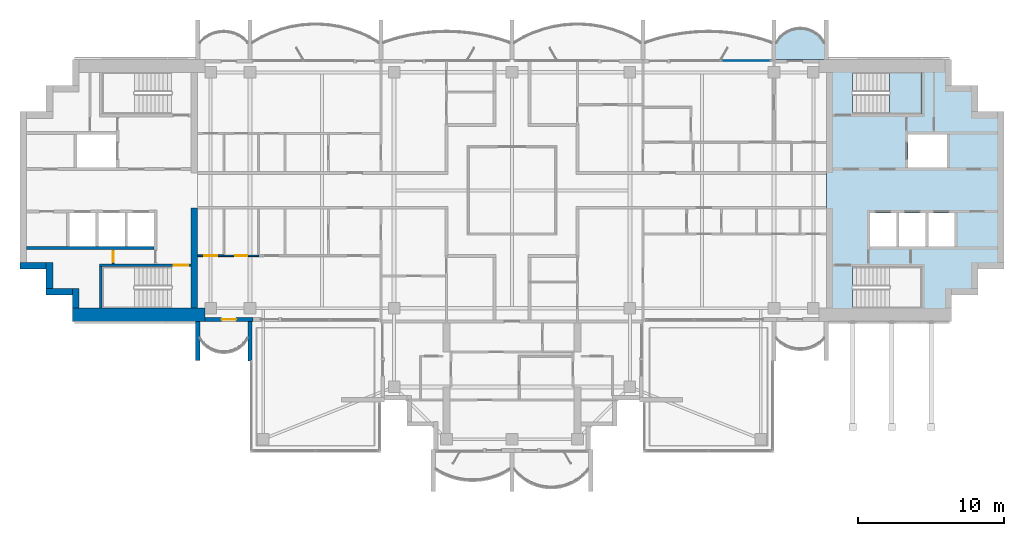
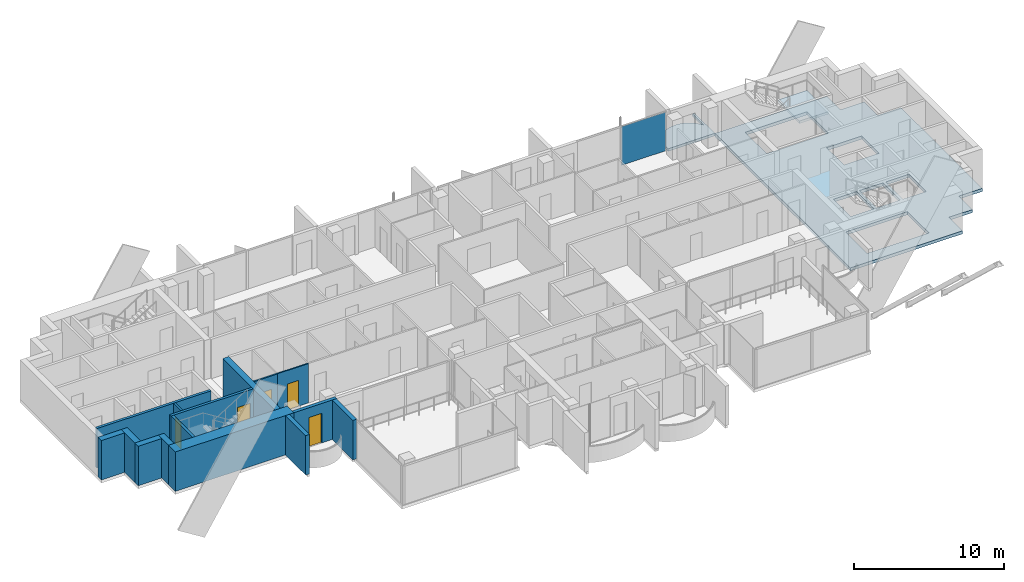
# One storey, part 7 of 18: 15 walls, 5 doors, 3 slabs, 1 plate, 5 openings, 2 elements without a shape of their own.
"""IFC4 building model written with IfcOpenShell, lengths in metres."""

import ifcopenshell
import ifcopenshell.guid

model = None  # the IFC model being written
_history = None  # IfcOwnerHistory: only IFC2X3 demands one
_inside = {}  # id of a spatial element -> (the spatial element, [elements in it])
_under = {}  # id of a project, library or spatial element -> (it, [spatial elements below it])
_declared = {}  # id of a project -> (the project, [libraries it declares])
_typed = {}  # id of a type object -> (the type object, [elements of that type])
_made_of = {}  # id of a material, layer set ... -> (it, [elements and type objects made of it])


def new_model(schema):
    """Start an empty IFC model of exactly this schema.

    Asked for "IFC4X3", IfcOpenShell would pick the latest addendum, in which some entities
    have other attributes; the version numbers below select the first issue.
    IFC2X3 requires an IfcOwnerHistory on every rooted entity: one is made here for all.
    """
    global model, _history
    if schema == "IFC4X3":
        model = ifcopenshell.file(schema_version=(4, 3, 0, 0))
    else:
        model = ifcopenshell.file(schema=schema)
    _inside.clear()
    _under.clear()
    _declared.clear()
    _typed.clear()
    _made_of.clear()
    _history = None
    if model.schema == "IFC2X3":
        org = make("IfcOrganization", Name="unknown")
        user = make(
            "IfcPersonAndOrganization",
            ThePerson=make("IfcPerson", FamilyName="unknown"),
            TheOrganization=org,
        )
        app = make(
            "IfcApplication",
            ApplicationDeveloper=org,
            Version="unknown",
            ApplicationFullName="unknown",
            ApplicationIdentifier="unknown",
        )
        _history = make(
            "IfcOwnerHistory",
            OwningUser=user,
            OwningApplication=app,
            ChangeAction="ADDED",
            CreationDate=0,
        )
    return model


def make(cls, **values):
    """One entity of the class cls with the attributes given. An attribute that is None is left unset."""
    return model.create_entity(
        cls, **{name: value for name, value in values.items() if value is not None}
    )


def rooted(cls, **values):
    """An entity with a GlobalId (a new one), such as an element, a storey or a relation."""
    return make(cls, GlobalId=ifcopenshell.guid.new(), OwnerHistory=_history, **values)


def si_unit(unit_type, name, prefix=None):
    """IfcSIUnit, for example si_unit("LENGTHUNIT", "METRE", prefix="MILLI")."""
    return make("IfcSIUnit", UnitType=unit_type, Prefix=prefix, Name=name)


def assignment(units):
    """IfcUnitAssignment: the units of a project."""
    return None if units is None else make("IfcUnitAssignment", Units=units)


def point(xyz):
    """IfcCartesianPoint."""
    return None if xyz is None else make("IfcCartesianPoint", Coordinates=xyz)


def direction(xyz):
    """IfcDirection."""
    return None if xyz is None else make("IfcDirection", DirectionRatios=xyz)


def frame(location, z_axis=None, x_axis=None):
    """IfcAxis2Placement3D, a coordinate frame: its origin and axes. An axis left out is left unset."""
    return make(
        "IfcAxis2Placement3D",
        Location=point(location),
        Axis=direction(z_axis),
        RefDirection=direction(x_axis),
    )


def frame_2d(location, x_axis=None):
    """IfcAxis2Placement2D, a coordinate frame in the plane: its origin and x axis."""
    return make(
        "IfcAxis2Placement2D", Location=point(location), RefDirection=direction(x_axis)
    )


def origin():
    """The frame at (0, 0, 0) with its axes left unset."""
    return frame((0.0, 0.0, 0.0))


def origin_2d():
    """The frame at (0, 0) in the plane with its x axis left unset."""
    return frame_2d((0.0, 0.0))


def place(relative_to, where):
    """IfcLocalPlacement: puts the frame where relative to a parent placement (None: the world)."""
    return make(
        "IfcLocalPlacement", PlacementRelTo=relative_to, RelativePlacement=where
    )


def context(
    kind, dimensions, precision=None, world=None, true_north=None, identifier=None
):
    """IfcGeometricRepresentationContext, for example the 3D "Model" context."""
    return make(
        "IfcGeometricRepresentationContext",
        ContextIdentifier=identifier,
        ContextType=kind,
        CoordinateSpaceDimension=dimensions,
        Precision=precision,
        WorldCoordinateSystem=world,
        TrueNorth=true_north,
    )


def subcontext(parent, identifier, kind, view, scale=None):
    """IfcGeometricRepresentationSubContext, for example "Body" below "Model"."""
    return make(
        "IfcGeometricRepresentationSubContext",
        ContextIdentifier=identifier,
        ContextType=kind,
        ParentContext=parent,
        TargetScale=scale,
        TargetView=view,
    )


def project(units=None, contexts=None):
    """IfcProject with its units and contexts."""
    return rooted(
        "IfcProject",
        Name="project",
        RepresentationContexts=contexts,
        UnitsInContext=assignment(units),
    )


def spatial(cls, under=None, at=None, **own):
    """A site, building, storey or space (cls), placed at a placement, below another one or the project."""
    s = rooted(cls, ObjectPlacement=at, **own)
    if under is not None:
        _under.setdefault(under.id(), (under, []))[1].append(s)
    return s


def polyline(points):
    """IfcPolyline through the points."""
    return make("IfcPolyline", Points=[point(p) for p in points])


def profile(cls, at=None, kind="AREA", **sizes):
    """A parametric profile (cls). Its sizes go by their IFC names, for example OverallWidth=200.0."""
    return make(cls, ProfileType=kind, Position=at, **sizes)


def rectangle(**sizes):
    """IfcRectangleProfileDef."""
    return profile("IfcRectangleProfileDef", **sizes)


def outline(outer, holes=None, kind="AREA"):
    """IfcArbitraryClosedProfileDef: a profile drawn as a closed curve; with holes, ...WithVoids."""
    if holes is None:
        return make("IfcArbitraryClosedProfileDef", ProfileType=kind, OuterCurve=outer)
    return make(
        "IfcArbitraryProfileDefWithVoids",
        ProfileType=kind,
        OuterCurve=outer,
        InnerCurves=holes,
    )


def extrude(swept, where, along, depth):
    """IfcExtrudedAreaSolid: the profile swept, set in the frame where, extruded along a direction by depth."""
    return make(
        "IfcExtrudedAreaSolid",
        SweptArea=swept,
        Position=where,
        ExtrudedDirection=direction(along),
        Depth=depth,
    )


def shape(context_of_items, identifier, shape_type, items):
    """IfcShapeRepresentation: the items that make up one representation, for example the "Body"."""
    return make(
        "IfcShapeRepresentation",
        ContextOfItems=context_of_items,
        RepresentationIdentifier=identifier,
        RepresentationType=shape_type,
        Items=items,
    )


def material(Name=None, Category=None):
    """IfcMaterial."""
    return make("IfcMaterial", Name=Name, Category=Category)


def layer(
    of_material, thickness, ventilated=None, Name=None, Category=None, Priority=None
):
    """IfcMaterialLayer: one layer of a wall or slab, of a material (None: an air gap)."""
    return make(
        "IfcMaterialLayer",
        Material=of_material,
        LayerThickness=thickness,
        IsVentilated=ventilated,
        Name=Name,
        Category=Category,
        Priority=Priority,
    )


def layer_set(layers, Name=None):
    """IfcMaterialLayerSet."""
    return make("IfcMaterialLayerSet", MaterialLayers=layers, LayerSetName=Name)


def made_of(thing, what):
    """Note that an element or type object is made of a material, layer set ...; save() writes the relation."""
    if what is not None:
        _made_of.setdefault(what.id(), (what, []))[1].append(thing)
    return thing


def type_object(cls, material=None, **own):
    """A type object (cls), such as IfcWallType, which elements share."""
    return made_of(rooted(cls, **own), material)


def element(
    cls,
    number,
    at=None,
    inside=None,
    cuts=None,
    type_object=None,
    material=None,
    context=None,
    identifier="Body",
    shape_type=None,
    held_by="IfcProductDefinitionShape",
    body=None,
    shapes=None,
    **own,
):
    """One element of the class cls, such as IfcWall. Its Tag is "e" and its number.

    at: its placement. inside: the storey or other place that contains it. cuts: it is an
    opening in that element (IfcRelVoidsElement). A single representation is given by context,
    identifier, shape_type and body (its items); several are given by shapes. held_by: the class
    of the entity that holds the representations. save() writes the other relations.
    """
    e = rooted(cls, Tag="e%d" % number, ObjectPlacement=at, **own)
    if body is not None:
        shapes = [shape(context, identifier, shape_type, body)]
    if shapes is not None:
        e.Representation = make(held_by, Representations=shapes)
    if inside is not None:
        _inside.setdefault(inside.id(), (inside, []))[1].append(e)
    if cuts is not None:
        rooted(
            "IfcRelVoidsElement", RelatingBuildingElement=cuts, RelatedOpeningElement=e
        )
    if type_object is not None:
        _typed.setdefault(type_object.id(), (type_object, []))[1].append(e)
    return made_of(e, material)


def fill(opening, filler):
    """IfcRelFillsElement: the door or window that sits in an opening."""
    return rooted(
        "IfcRelFillsElement",
        RelatingOpeningElement=opening,
        RelatedBuildingElement=filler,
    )


def aggregate(whole, parts):
    """IfcRelAggregates: a whole, such as a stair, and the parts it consists of."""
    return rooted("IfcRelAggregates", RelatingObject=whole, RelatedObjects=parts)


def save(model, path):
    """Write the relations noted so far, then the file.

    IfcRelAggregates (storeys below a building ...), IfcRelContainedInSpatialStructure (elements
    in a storey), IfcRelDefinesByType, IfcRelAssociatesMaterial and IfcRelDeclares: one each for
    every whole, place, type object, material and project.
    """
    for whole, parts in _under.values():
        aggregate(whole, parts)
    for where, things in _inside.values():
        rooted(
            "IfcRelContainedInSpatialStructure",
            RelatedElements=things,
            RelatingStructure=where,
        )
    for kind, things in _typed.values():
        rooted("IfcRelDefinesByType", RelatedObjects=things, RelatingType=kind)
    for what, things in _made_of.values():
        rooted("IfcRelAssociatesMaterial", RelatedObjects=things, RelatingMaterial=what)
    for by, libraries in _declared.values():
        rooted("IfcRelDeclares", RelatingContext=by, RelatedDefinitions=libraries)
    model.write(path)


model = new_model("IFC4")

# Units and contexts
model_context = context("Model", 3, precision=1e-05, world=origin(), true_north=direction((0.0, 1.0)))
body_context = subcontext(model_context, "Body", "Model", "MODEL_VIEW")
ifc_project = project(units=[si_unit("LENGTHUNIT", "METRE"), si_unit("AREAUNIT", "SQUARE_METRE"), si_unit("VOLUMEUNIT", "CUBIC_METRE"), si_unit("PLANEANGLEUNIT", "RADIAN"), si_unit("MASSUNIT", "GRAM", prefix="KILO")], contexts=[model_context])

# Site, building, storey
site_placement = place(None, origin())
site = spatial("IfcSite", under=ifc_project, at=site_placement, CompositionType="ELEMENT")
building_placement = place(site_placement, origin())
building = spatial("IfcBuilding", under=site, at=building_placement, Name="Perihelion Cross Residences", CompositionType="ELEMENT")
storey_placement = place(building_placement, frame((0.0, 0.0, 281.5)))
storey = spatial("IfcBuildingStorey", under=building, at=storey_placement, Name="L72", CompositionType="ELEMENT", Elevation=281.5)

# Slab
ifc_material_1 = material(Name="Concrete C40/50", Category="concrete")
ifc_layer_1 = layer(ifc_material_1, 0.199951171875)
ifc_layer_set_1 = layer_set([ifc_layer_1], Name="Balcony slab 200")
slab_type_1 = type_object("IfcSlabType", Name="Balcony slab 200", PredefinedType="FLOOR", material=ifc_layer_set_1)
slab_1_placement = place(storey_placement, frame((0.0, 0.0, -0.199951171875)))
element("IfcSlab", 1, at=slab_1_placement, inside=storey, type_object=slab_type_1, Name="Slab BK1 L72 east side north bay 1 balcony", PredefinedType="FLOOR", context=body_context, shape_type="SweptSolid", body=[
    extrude(outline(polyline([(21.60009765625, 9.0), (18.0, 9.0), (18.0, 11.699951171875), (18.14990234375, 11.699951171875), (18.14990234375, 10.199951171875), (18.425048828125, 10.568603515625), (18.699951171875, 10.806396484375), (18.97509765625, 10.96875), (19.25, 11.07568359375), (19.52490234375, 11.136962890625), (19.800048828125, 11.156982421875), (20.074951171875, 11.136962890625), (20.35009765625, 11.07568359375), (20.625, 10.96875), (20.89990234375, 10.806396484375), (21.175048828125, 10.568603515625), (21.449951171875, 10.199951171875), (21.449951171875, 11.699951171875), (21.60009765625, 11.699951171875), (21.60009765625, 9.0)])), origin(), (0.0, 0.0, 1.0), 0.199951171875),
])

# Curtain wall, plate
ifc_material_2 = material(Name="Bronze anodised aluminium, tinted glazing", Category="aluminium")
curtain_wall_type = type_object("IfcCurtainWallType", Name="CW1", PredefinedType="NOTDEFINED", material=ifc_material_2)
curtain_wall_placement = place(storey_placement, origin())
curtain_wall = element("IfcCurtainWall", 2, at=curtain_wall_placement, inside=storey, type_object=curtain_wall_type, Name="Curtain wall CW1 L72 east side north bay 2", PredefinedType="NOTDEFINED")
ifc_material_3 = material(Name="Tinted laminated glass", Category="glass")
ifc_layer_2 = layer(ifc_material_3, 0.028076171875)
ifc_layer_set_2 = layer_set([ifc_layer_2], Name="CW1 panel")
plate_type = type_object("IfcPlateType", Name="CW1 panel", PredefinedType="CURTAIN_PANEL", material=ifc_layer_set_2)
plate_placement = place(storey_placement, frame((16.06005859375, 8.89990234375, 0.0), z_axis=(0.0, 0.0, 1.0), x_axis=(-1.0, 0.0, 0.0)))
plate = element("IfcPlate", 3, at=plate_placement, type_object=plate_type, Name="CW1 panel 1", PredefinedType="CURTAIN_PANEL", context=body_context, shape_type="SweptSolid", body=[
    extrude(rectangle(XDim=3.360107421875, YDim=0.028076171875, at=origin_2d()), origin(), (0.0, 0.0, 1.0), 3.139892578125),
])
aggregate(curtain_wall, [plate])

# Slab
ifc_material_4 = material(Name="Concrete C40/50", Category="concrete")
ifc_layer_3 = layer(ifc_material_4, 0.25)
ifc_layer_set_3 = layer_set([ifc_layer_3], Name="Core floor slab 250")
slab_type_2 = type_object("IfcSlabType", Name="Core floor slab 250", PredefinedType="FLOOR", material=ifc_layer_set_3)
slab_2_placement = place(storey_placement, frame((0.0, 0.0, -0.25)))
element("IfcSlab", 4, at=slab_2_placement, inside=storey, type_object=slab_type_2, Name="East core floor slab", PredefinedType="FLOOR", context=body_context, shape_type="SweptSolid", body=[
    extrude(outline(polyline([(30.199951171875, 7.199951171875), (32.0, 7.199951171875), (32.0, 5.39990234375), (33.800048828125, 5.39990234375), (33.800048828125, -5.39990234375), (32.0, -5.39990234375), (32.0, -7.199951171875), (30.199951171875, -7.199951171875), (30.199951171875, -9.0), (21.60009765625, -9.0), (21.60009765625, 9.0), (30.199951171875, 9.0), (30.199951171875, 7.199951171875)]), holes=[polyline([(28.14990234375, -8.10009765625), (28.14990234375, -5.25), (23.405029296875, -5.25), (23.405029296875, -8.10009765625), (28.14990234375, -8.10009765625)]), polyline([(24.60009765625, -1.550048828125), (24.60009765625, -3.85009765625), (26.39990234375, -3.85009765625), (26.39990234375, -1.550048828125), (24.60009765625, -1.550048828125)]), polyline([(26.60009765625, -1.550048828125), (26.60009765625, -3.85009765625), (28.39990234375, -3.85009765625), (28.39990234375, -1.550048828125), (26.60009765625, -1.550048828125)]), polyline([(28.60009765625, -3.85009765625), (30.39990234375, -3.85009765625), (30.39990234375, -1.550048828125), (28.60009765625, -1.550048828125), (28.60009765625, -3.85009765625)]), polyline([(27.199951171875, 3.85009765625), (27.199951171875, 1.550048828125), (29.89990234375, 1.550048828125), (29.89990234375, 3.85009765625), (27.199951171875, 3.85009765625)]), polyline([(23.405029296875, 5.25), (28.14990234375, 5.25), (28.14990234375, 8.10009765625), (23.405029296875, 8.10009765625), (23.405029296875, 5.25)])]), origin(), (0.0, 0.0, 1.0), 0.25),
])

# Stair, slab
ifc_material_5 = material(Name="Concrete C40/50", Category="concrete")
stair_type = type_object("IfcStairType", Name="Exit stair, half-turn", PredefinedType="HALF_TURN_STAIR", material=ifc_material_5)
stair_placement = place(storey_placement, origin())
stair = element("IfcStair", 5, at=stair_placement, inside=storey, type_object=stair_type, Name="L72 East core exit stair 1", PredefinedType="HALF_TURN_STAIR")
ifc_material_6 = material(Name="Concrete C40/50", Category="concrete")
ifc_layer_4 = layer(ifc_material_6, 0.199951171875)
ifc_layer_set_4 = layer_set([ifc_layer_4], Name="Exit stair landing 200")
slab_type_3 = type_object("IfcSlabType", Name="Exit stair landing 200", PredefinedType="LANDING", material=ifc_layer_set_4)
slab_3_placement = place(storey_placement, frame((0.0, 0.0, 1.550048828125)))
slab_3 = element("IfcSlab", 6, at=slab_3_placement, type_object=slab_type_3, Name="ST-E1 landing 1", PredefinedType="LANDING", context=body_context, shape_type="SweptSolid", body=[
    extrude(outline(polyline([(25.919921875, 5.25), (28.14990234375, 5.25), (28.14990234375, 8.10009765625), (25.919921875, 8.10009765625), (25.919921875, 5.25)])), origin(), (0.0, 0.0, 1.0), 0.199951171875),
])
aggregate(stair, [slab_3])

# Wall, opening, door
ifc_material_7 = material(Name="Concrete C30/37, bronze-clad", Category="concrete")
ifc_layer_5 = layer(ifc_material_7, 0.25)
ifc_layer_set_5 = layer_set([ifc_layer_5], Name="Bronze-clad pier wall 250")
wall_type_1 = type_object("IfcWallType", Name="Bronze-clad pier wall 250", PredefinedType="SOLIDWALL", material=ifc_layer_set_5)
wall_1_placement = place(storey_placement, frame((-21.10009765625, -8.875, 0.0), z_axis=(0.0, 0.0, 1.0), x_axis=(1.0, 0.0, 0.0)))
wall_1 = element("IfcWall", 7, at=wall_1_placement, inside=storey, type_object=wall_type_1, Name="Wall FW1 L72 west side south bay 1 pier", PredefinedType="SOLIDWALL", context=body_context, shape_type="SweptSolid", body=[
    extrude(rectangle(XDim=3.300048828125, YDim=0.25, at=frame_2d((1.64990234375, 0.0))), origin(), (0.0, 0.0, 1.0), 3.199951171875),
])
opening_1_placement = place(wall_1_placement, frame((1.14990234375, 0.0, 0.0)))
opening_1 = element("IfcOpeningElement", 8, at=opening_1_placement, cuts=wall_1, Name="Opening L72.E07", PredefinedType="OPENING", context=body_context, shape_type="SweptSolid", body=[
    extrude(rectangle(XDim=1.0, YDim=2.39990234375, at=frame_2d((0.5, 1.199951171875))), frame((0.0, 0.135009765625, 0.0), z_axis=(0.0, -1.0, 0.0), x_axis=(1.0, 0.0, 0.0)), (0.0, 0.0, 1.0), 0.27001953125),
])
ifc_material_8 = material(Name="Bronze anodised aluminium, glazed", Category="aluminium")
door_type_1 = type_object("IfcDoorType", Name="Balcony door 1000 x 2400", OperationType="NOTDEFINED", PredefinedType="DOOR", material=ifc_material_8)
door_1_placement = place(opening_1_placement, origin())
door_1 = element("IfcDoor", 9, at=door_1_placement, inside=storey, type_object=door_type_1, Name="Door L72.E07 west side south bay 1", OperationType="SINGLE_SWING_LEFT", OverallHeight=2.39990234375, OverallWidth=1.0, PredefinedType="DOOR", context=body_context, shape_type="SweptSolid", body=[
    extrude(rectangle(XDim=1.0, YDim=2.39990234375, at=frame_2d((0.5, 1.199951171875))), frame((0.0, 0.02490234375, 0.0), z_axis=(0.0, -1.0, 0.0), x_axis=(1.0, 0.0, 0.0)), (0.0, 0.0, 1.0), 0.050048828125),
])
fill(opening_1, door_1)

# Walls
ifc_material_9 = material(Name="Concrete C60/75", Category="concrete")
ifc_layer_6 = layer(ifc_material_9, 0.449951171875)
ifc_layer_set_6 = layer_set([ifc_layer_6], Name="Core wall, inner 450")
wall_type_2 = type_object("IfcWallType", Name="Core wall, inner 450", PredefinedType="SHEAR", material=ifc_layer_set_6)
wall_2_placement = place(storey_placement, frame((-21.824951171875, -8.10009765625, 0.0), z_axis=(0.0, 0.0, 1.0), x_axis=(0.0, 1.0, 0.0)))
element("IfcWall", 10, at=wall_2_placement, inside=storey, type_object=wall_type_2, Name="West core core wall, inner", PredefinedType="SHEAR", context=body_context, shape_type="SweptSolid", body=[
    extrude(rectangle(XDim=6.900146484375, YDim=0.449951171875, at=frame_2d((3.4501953125, 0.0))), origin(), (0.0, 0.0, 1.0), 3.199951171875),
])
ifc_material_10 = material(Name="Concrete C60/75", Category="concrete")
ifc_layer_7 = layer(ifc_material_10, 0.449951171875)
ifc_layer_set_7 = layer_set([ifc_layer_7], Name="Core wall, outer 450")
wall_type_3 = type_object("IfcWallType", Name="Core wall, outer 450", PredefinedType="SHEAR", material=ifc_layer_set_7)
wall_3_placement = place(storey_placement, frame((-29.97509765625, -8.10009765625, 0.0), z_axis=(0.0, 0.0, 1.0), x_axis=(0.0, 1.0, 0.0)))
element("IfcWall", 11, at=wall_3_placement, inside=storey, type_object=wall_type_3, Name="West core core wall, outer", PredefinedType="SHEAR", context=body_context, shape_type="SweptSolid", body=[
    extrude(rectangle(XDim=1.35009765625, YDim=0.449951171875, at=frame_2d((0.675048828125, 0.0))), origin(), (0.0, 0.0, 1.0), 3.199951171875),
])
for number, where, z_axis, x_axis, name in (
    (12, (-32.0, -6.97509765625, 0.0), (0.0, 0.0, 1.0), (1.0, 0.0, 0.0), "West core core wall, outer"),
    (13, (-31.77490234375, -6.75, 0.0), (0.0, 0.0, 1.0), (0.0, 1.0, 0.0), "West core core wall, outer"),
    (14, (-33.800048828125, -5.175048828125, 0.0), (0.0, 0.0, 1.0), (1.0, 0.0, 0.0), "West core core wall, outer"),
):
    element("IfcWall", number, at=place(storey_placement, frame(where, z_axis=z_axis, x_axis=x_axis)), inside=storey, type_object=wall_type_3, Name=name, PredefinedType="SHEAR", context=body_context, shape_type="SweptSolid", body=[
        extrude(rectangle(XDim=1.800048828125, YDim=0.449951171875, at=frame_2d((0.89990234375, 0.0))), origin(), (0.0, 0.0, 1.0), 3.199951171875),
    ])
ifc_material_11 = material(Name="Concrete C60/75", Category="concrete")
ifc_layer_8 = layer(ifc_material_11, 0.89990234375)
ifc_layer_set_8 = layer_set([ifc_layer_8], Name="Core wall, outer 900")
wall_type_4 = type_object("IfcWallType", Name="Core wall, outer 900", PredefinedType="SHEAR", material=ifc_layer_set_8)
wall_4_placement = place(storey_placement, frame((-30.199951171875, -8.550048828125, 0.0), z_axis=(0.0, 0.0, 1.0), x_axis=(1.0, 0.0, 0.0)))
element("IfcWall", 15, at=wall_4_placement, inside=storey, type_object=wall_type_4, Name="West core core wall, outer", PredefinedType="SHEAR", context=body_context, shape_type="SweptSolid", body=[
    extrude(rectangle(XDim=9.099853515625, YDim=0.89990234375, at=frame_2d((4.5498046875, 0.0))), origin(), (0.0, 0.0, 1.0), 3.199951171875),
])

# Wall, opening, door
ifc_material_12 = material(Name="Plasterboard partition")
ifc_layer_9 = layer(ifc_material_12, 0.1201171875)
ifc_layer_set_9 = layer_set([ifc_layer_9], Name="Partition wall 120")
wall_type_5 = type_object("IfcWallType", Name="Partition wall 120", PredefinedType="PARTITIONING", material=ifc_layer_set_9)
wall_5_placement = place(storey_placement, frame((-19.800048828125, -4.5, 0.0), z_axis=(0.0, 0.0, 1.0), x_axis=(-1.0, 0.0, 0.0)))
wall_5 = element("IfcWall", 16, at=wall_5_placement, inside=storey, type_object=wall_type_5, Name="Partition L72 W064", PredefinedType="PARTITIONING", context=body_context, shape_type="SweptSolid", body=[
    extrude(rectangle(XDim=1.800048828125, YDim=0.1201171875, at=frame_2d((0.89990234375, 0.0))), origin(), (0.0, 0.0, 1.0), 3.199951171875),
])
opening_2_placement = place(wall_5_placement, frame((0.449951171875, 0.0, 0.0)))
opening_2 = element("IfcOpeningElement", 17, at=opening_2_placement, cuts=wall_5, Name="Opening L72.A29", PredefinedType="OPENING", context=body_context, shape_type="SweptSolid", body=[
    extrude(rectangle(XDim=0.89990234375, YDim=2.10009765625, at=frame_2d((0.449951171875, 1.050048828125))), frame((0.0, 0.070068359375, 0.0), z_axis=(0.0, -1.0, 0.0), x_axis=(1.0, 0.0, 0.0)), (0.0, 0.0, 1.0), 0.14013671875),
])
ifc_material_13 = material(Name="Timber door leaf", Category="wood")
door_type_2 = type_object("IfcDoorType", Name="Interior room door 900 x 2100", OperationType="SINGLE_SWING_LEFT", PredefinedType="DOOR", material=ifc_material_13)
door_2_placement = place(opening_2_placement, origin())
door_2 = element("IfcDoor", 18, at=door_2_placement, inside=storey, type_object=door_type_2, Name="Door L72.A29", OperationType="SINGLE_SWING_LEFT", OverallHeight=2.10009765625, OverallWidth=0.89990234375, PredefinedType="DOOR", context=body_context, shape_type="SweptSolid", body=[
    extrude(rectangle(XDim=0.89990234375, YDim=2.10009765625, at=frame_2d((0.449951171875, 1.050048828125))), frame((0.0, 0.02490234375, 0.0), z_axis=(0.0, -1.0, 0.0), x_axis=(1.0, 0.0, 0.0)), (0.0, 0.0, 1.0), 0.050048828125),
])
fill(opening_2, door_2)

# Walls
ifc_material_14 = material(Name="Precast concrete C50/60", Category="concrete")
ifc_layer_10 = layer(ifc_material_14, 0.300048828125)
ifc_layer_set_10 = layer_set([ifc_layer_10], Name="Precast concrete C50/60 blade wall 300")
wall_type_6 = type_object("IfcWallType", Name="Precast concrete C50/60 blade wall 300", PredefinedType="SOLIDWALL", material=ifc_layer_set_10)
wall_6_placement = place(storey_placement, frame((-21.60009765625, -9.0, 0.0), z_axis=(0.0, 0.0, 1.0), x_axis=(0.0, -1.0, 0.0)))
element("IfcWall", 19, at=wall_6_placement, inside=storey, type_object=wall_type_6, Name="Wall BL1 L72 no. 3", PredefinedType="SOLIDWALL", context=body_context, shape_type="SweptSolid", body=[
    extrude(rectangle(XDim=2.699951171875, YDim=0.300048828125, at=frame_2d((1.35009765625, 0.0))), origin(), (0.0, 0.0, 1.0), 3.199951171875),
])
wall_7_placement = place(storey_placement, frame((-18.0, -9.0, 0.0), z_axis=(0.0, 0.0, 1.0), x_axis=(0.0, -1.0, 0.0)))
element("IfcWall", 20, at=wall_7_placement, inside=storey, type_object=wall_type_6, Name="Wall BL1 L72 no. 1", PredefinedType="SOLIDWALL", context=body_context, shape_type="SweptSolid", body=[
    extrude(rectangle(XDim=2.739990234375, YDim=0.300048828125, at=frame_2d((1.3701171875, 0.0))), origin(), (0.0, 0.0, 1.0), 3.199951171875),
])

# Wall, opening, door
ifc_material_15 = material(Name="Fire-rated board on steel stud", Category="steel")
ifc_layer_11 = layer(ifc_material_15, 0.14990234375)
ifc_layer_set_11 = layer_set([ifc_layer_11], Name="Riser wall 150")
wall_type_7 = type_object("IfcWallType", Name="Riser wall 150", PredefinedType="PARTITIONING", material=ifc_layer_set_11)
wall_8_placement = place(storey_placement, frame((-27.39990234375, -5.050048828125, 0.0), z_axis=(0.0, 0.0, 1.0), x_axis=(0.0, 1.0, 0.0)))
wall_8 = element("IfcWall", 21, at=wall_8_placement, inside=storey, type_object=wall_type_7, Name="West core riser wall", PredefinedType="PARTITIONING", context=body_context, shape_type="SweptSolid", body=[
    extrude(rectangle(XDim=1.0, YDim=0.14990234375, at=frame_2d((0.5, 0.0))), origin(), (0.0, 0.0, 1.0), 3.199951171875),
])
opening_3_placement = place(wall_8_placement, frame((0.10009765625, 0.0, 0.0)))
opening_3 = element("IfcOpeningElement", 22, at=opening_3_placement, cuts=wall_8, Name="Opening L72.C25", PredefinedType="OPENING", context=body_context, shape_type="SweptSolid", body=[
    extrude(rectangle(XDim=0.800048828125, YDim=2.10009765625, at=frame_2d((0.39990234375, 1.050048828125))), frame((0.0, 0.0849609375, 0.0), z_axis=(0.0, -1.0, 0.0), x_axis=(1.0, 0.0, 0.0)), (0.0, 0.0, 1.0), 0.169921875),
])
ifc_material_16 = material(Name="Steel, powder coated", Category="steel")
door_type_3 = type_object("IfcDoorType", Name="Riser door 800", OperationType="SINGLE_SWING_LEFT", PredefinedType="DOOR", material=ifc_material_16)
door_3_placement = place(opening_3_placement, origin())
door_3 = element("IfcDoor", 23, at=door_3_placement, inside=storey, type_object=door_type_3, Name="West core riser door", OperationType="SINGLE_SWING_LEFT", OverallHeight=2.10009765625, OverallWidth=0.800048828125, PredefinedType="DOOR", context=body_context, shape_type="SweptSolid", body=[
    extrude(rectangle(XDim=0.800048828125, YDim=2.10009765625, at=frame_2d((0.39990234375, 1.050048828125))), frame((0.0, 0.02490234375, 0.0), z_axis=(0.0, -1.0, 0.0), x_axis=(1.0, 0.0, 0.0)), (0.0, 0.0, 1.0), 0.050048828125),
])
fill(opening_3, door_3)

# Wall
ifc_material_17 = material(Name="Concrete C50/60", Category="concrete")
ifc_layer_12 = layer(ifc_material_17, 0.199951171875)
ifc_layer_set_12 = layer_set([ifc_layer_12], Name="Shaft wall 200")
wall_type_8 = type_object("IfcWallType", Name="Shaft wall 200", PredefinedType="SOLIDWALL", material=ifc_layer_set_12)
wall_9_placement = place(storey_placement, frame((-33.35009765625, -3.949951171875, 0.0), z_axis=(0.0, 0.0, 1.0), x_axis=(1.0, 0.0, 0.0)))
element("IfcWall", 24, at=wall_9_placement, inside=storey, type_object=wall_type_8, Name="West core shaft wall", PredefinedType="SOLIDWALL", context=body_context, shape_type="SweptSolid", body=[
    extrude(rectangle(XDim=8.75, YDim=0.199951171875, at=frame_2d((4.375, 0.0))), origin(), (0.0, 0.0, 1.0), 3.199951171875),
])

# Wall, opening, door
ifc_material_18 = material(Name="Concrete C50/60", Category="concrete")
ifc_layer_13 = layer(ifc_material_18, 0.199951171875)
ifc_layer_set_13 = layer_set([ifc_layer_13], Name="Stair wall 200")
wall_type_9 = type_object("IfcWallType", Name="Stair wall 200", PredefinedType="SOLIDWALL", material=ifc_layer_set_13)
wall_10_placement = place(storey_placement, frame((-28.35009765625, -5.14990234375, 0.0), z_axis=(0.0, 0.0, 1.0), x_axis=(1.0, 0.0, 0.0)))
wall_10 = element("IfcWall", 25, at=wall_10_placement, inside=storey, type_object=wall_type_9, Name="West core stair wall", PredefinedType="SOLIDWALL", context=body_context, shape_type="SweptSolid", body=[
    extrude(rectangle(XDim=6.300048828125, YDim=0.199951171875, at=frame_2d((3.14990234375, 0.0))), origin(), (0.0, 0.0, 1.0), 3.199951171875),
])
opening_4_placement = place(wall_10_placement, frame((5.10009765625, 0.0, 0.0)))
opening_4 = element("IfcOpeningElement", 26, at=opening_4_placement, cuts=wall_10, Name="Opening L72.C19", PredefinedType="OPENING", context=body_context, shape_type="SweptSolid", body=[
    extrude(rectangle(XDim=1.0, YDim=2.10009765625, at=frame_2d((0.5, 1.050048828125))), frame((0.0, 0.10986328125, 0.0), z_axis=(0.0, -1.0, 0.0), x_axis=(1.0, 0.0, 0.0)), (0.0, 0.0, 1.0), 0.219970703125),
])
ifc_material_19 = material(Name="Steel, powder coated", Category="steel")
door_type_4 = type_object("IfcDoorType", Name="Stair door 1000", OperationType="SINGLE_SWING_LEFT", PredefinedType="DOOR", material=ifc_material_19)
door_4_placement = place(opening_4_placement, origin())
door_4 = element("IfcDoor", 27, at=door_4_placement, inside=storey, type_object=door_type_4, Name="West core stair door", OperationType="SINGLE_SWING_LEFT", OverallHeight=2.10009765625, OverallWidth=1.0, PredefinedType="DOOR", context=body_context, shape_type="SweptSolid", body=[
    extrude(rectangle(XDim=1.0, YDim=2.10009765625, at=frame_2d((0.5, 1.050048828125))), frame((0.0, 0.02490234375, 0.0), z_axis=(0.0, -1.0, 0.0), x_axis=(1.0, 0.0, 0.0)), (0.0, 0.0, 1.0), 0.050048828125),
])
fill(opening_4, door_4)

# Wall
wall_11_placement = place(storey_placement, frame((-28.25, -8.10009765625, 0.0), z_axis=(0.0, 0.0, 1.0), x_axis=(0.0, 1.0, 0.0)))
element("IfcWall", 28, at=wall_11_placement, inside=storey, type_object=wall_type_9, Name="West core stair wall", PredefinedType="SOLIDWALL", context=body_context, shape_type="SweptSolid", body=[
    extrude(rectangle(XDim=2.85009765625, YDim=0.199951171875, at=frame_2d((1.425048828125, 0.0))), origin(), (0.0, 0.0, 1.0), 3.199951171875),
])

# Wall, opening, door
ifc_material_20 = material(Name="Plasterboard partition")
ifc_layer_14 = layer(ifc_material_20, 0.10009765625)
ifc_layer_set_14 = layer_set([ifc_layer_14], Name="Wet room wall 100")
wall_type_10 = type_object("IfcWallType", Name="Wet room wall 100", PredefinedType="PARTITIONING", material=ifc_layer_set_14)
wall_12_placement = place(storey_placement, frame((-17.39990234375, -4.5, 0.0), z_axis=(0.0, 0.0, 1.0), x_axis=(-1.0, 0.0, 0.0)))
wall_12 = element("IfcWall", 29, at=wall_12_placement, inside=storey, type_object=wall_type_10, Name="Partition L72 W063", PredefinedType="PARTITIONING", context=body_context, shape_type="SweptSolid", body=[
    extrude(rectangle(XDim=2.400146484375, YDim=0.10009765625, at=frame_2d((1.2001953125, 0.0))), origin(), (0.0, 0.0, 1.0), 3.199951171875),
])
opening_5_placement = place(wall_12_placement, frame((0.77490234375, 0.0, 0.0)))
opening_5 = element("IfcOpeningElement", 30, at=opening_5_placement, cuts=wall_12, Name="Opening L72.A27", PredefinedType="OPENING", context=body_context, shape_type="SweptSolid", body=[
    extrude(rectangle(XDim=0.85009765625, YDim=2.10009765625, at=frame_2d((0.425048828125, 1.050048828125))), frame((0.0, 0.06005859375, 0.0), z_axis=(0.0, -1.0, 0.0), x_axis=(1.0, 0.0, 0.0)), (0.0, 0.0, 1.0), 0.1201171875),
])
ifc_material_21 = material(Name="Timber door leaf", Category="wood")
door_type_5 = type_object("IfcDoorType", Name="Interior bathroom door 850 x 2100", OperationType="SINGLE_SWING_LEFT", PredefinedType="DOOR", material=ifc_material_21)
door_5_placement = place(opening_5_placement, origin())
door_5 = element("IfcDoor", 31, at=door_5_placement, inside=storey, type_object=door_type_5, Name="Door L72.A27", OperationType="SINGLE_SWING_RIGHT", OverallHeight=2.10009765625, OverallWidth=0.85009765625, PredefinedType="DOOR", context=body_context, shape_type="SweptSolid", body=[
    extrude(rectangle(XDim=0.85009765625, YDim=2.10009765625, at=frame_2d((0.425048828125, 1.050048828125))), frame((0.0, 0.02490234375, 0.0), z_axis=(0.0, -1.0, 0.0), x_axis=(1.0, 0.0, 0.0)), (0.0, 0.0, 1.0), 0.050048828125),
])
fill(opening_5, door_5)

save(model, "model.ifc")
